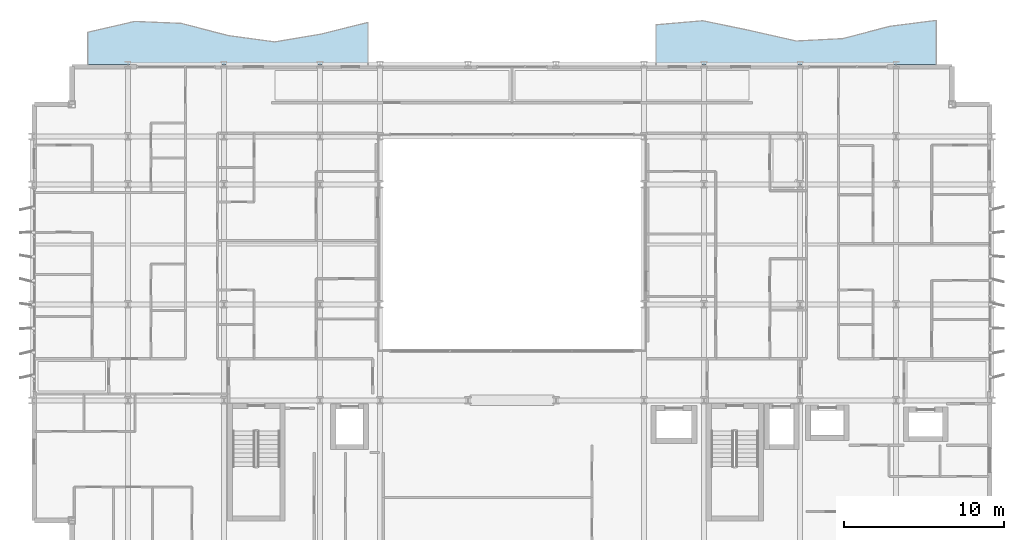
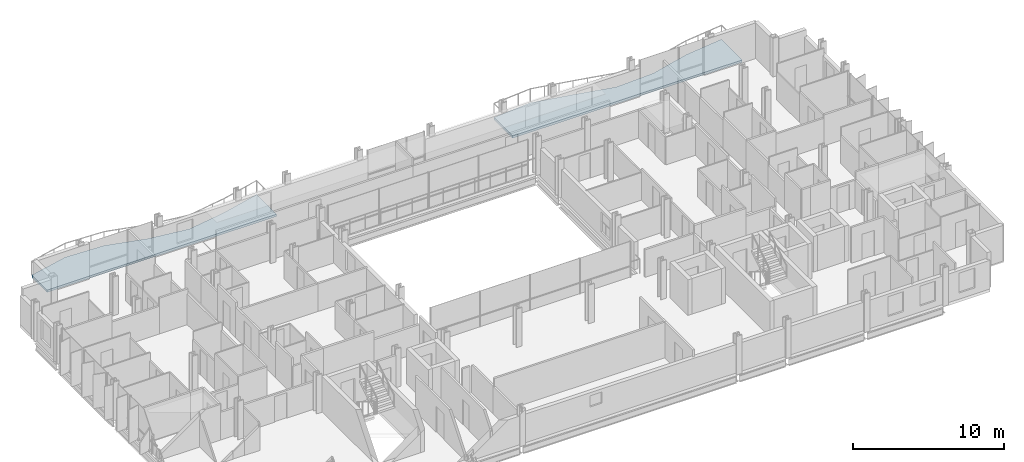
# One storey, part 25 of 38: 2 slabs.
"""IFC4 building model written with IfcOpenShell, lengths in metres."""

from ifc_helpers import new_model, si_unit, direction, frame, origin, place, context, subcontext, project, spatial, polyline, outline, extrude, material, layer, layer_set, type_object, element, save


model = new_model("IFC4")

# Units and contexts
model_context = context("Model", 3, precision=1e-05, world=origin(), true_north=direction((0.0, 1.0)))
body_context = subcontext(model_context, "Body", "Model", "MODEL_VIEW")
ifc_project = project(units=[si_unit("LENGTHUNIT", "METRE"), si_unit("AREAUNIT", "SQUARE_METRE"), si_unit("VOLUMEUNIT", "CUBIC_METRE"), si_unit("PLANEANGLEUNIT", "RADIAN"), si_unit("MASSUNIT", "GRAM", prefix="KILO")], contexts=[model_context])

# Site, building, storey
site_placement = place(None, origin())
site = spatial("IfcSite", under=ifc_project, at=site_placement, CompositionType="ELEMENT")
building_placement = place(site_placement, origin())
building = spatial("IfcBuilding", under=site, at=building_placement, Name="Brevholm Reach", CompositionType="ELEMENT")
storey_placement = place(building_placement, frame((0.0, 0.0, 46.60009765625)))
storey = spatial("IfcBuildingStorey", under=building, at=storey_placement, Name="L12", CompositionType="ELEMENT", Elevation=46.60009765625)

# Slabs
ifc_material = material(Name="Precast Concrete C40/50", Category="concrete")
ifc_layer = layer(ifc_material, 0.179931640625)
ifc_layer_set = layer_set([ifc_layer], Name="Precast Concrete C40/50")
slab_type = type_object("IfcSlabType", Name="SLB-BAL-180", PredefinedType="FLOOR", material=ifc_layer_set)
slab_1_placement = place(storey_placement, frame((0.0, 0.0, -0.18017578125)))
element("IfcSlab", 1, at=slab_1_placement, inside=storey, type_object=slab_type, Name="L12 Rippling External Balcony NE", PredefinedType="FLOOR", context=body_context, shape_type="SweptSolid", body=[
    extrude(outline(polyline([(39.0, 31.0), (56.5, 31.0), (56.5, 33.746337890625), (53.583251953125, 33.370849609375), (50.666748046875, 32.606201171875), (47.75, 32.45849609375), (44.833251953125, 33.1220703125), (41.916748046875, 33.723876953125), (39.0, 33.4716796875), (39.0, 31.0)])), origin(), (0.0, 0.0, 1.0), 0.18017578125),
])
slab_2_placement = place(storey_placement, frame((0.0, 0.0, -0.18017578125)))
element("IfcSlab", 2, at=slab_2_placement, inside=storey, type_object=slab_type, Name="L12 Rippling External Balcony NW", PredefinedType="FLOOR", context=body_context, shape_type="SweptSolid", body=[
    extrude(outline(polyline([(3.5, 31.0), (21.0, 31.0), (21.0, 33.62109375), (18.083251953125, 32.888916015625), (15.166748046875, 32.401611328125), (12.25, 32.800537109375), (9.333251953125, 33.560546875), (6.416748046875, 33.681640625), (3.5, 33.00439453125), (3.5, 31.0)])), origin(), (0.0, 0.0, 1.0), 0.18017578125),
])

save(model, "model.ifc")
